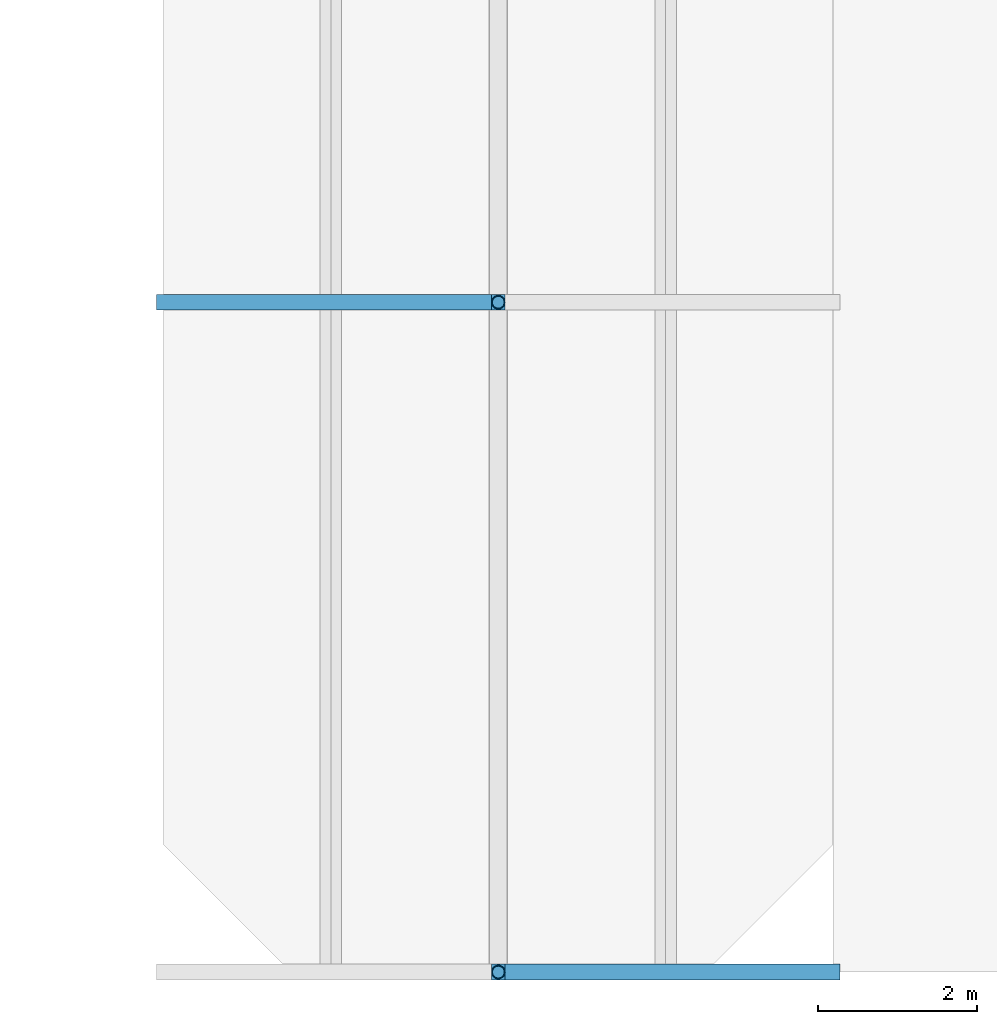
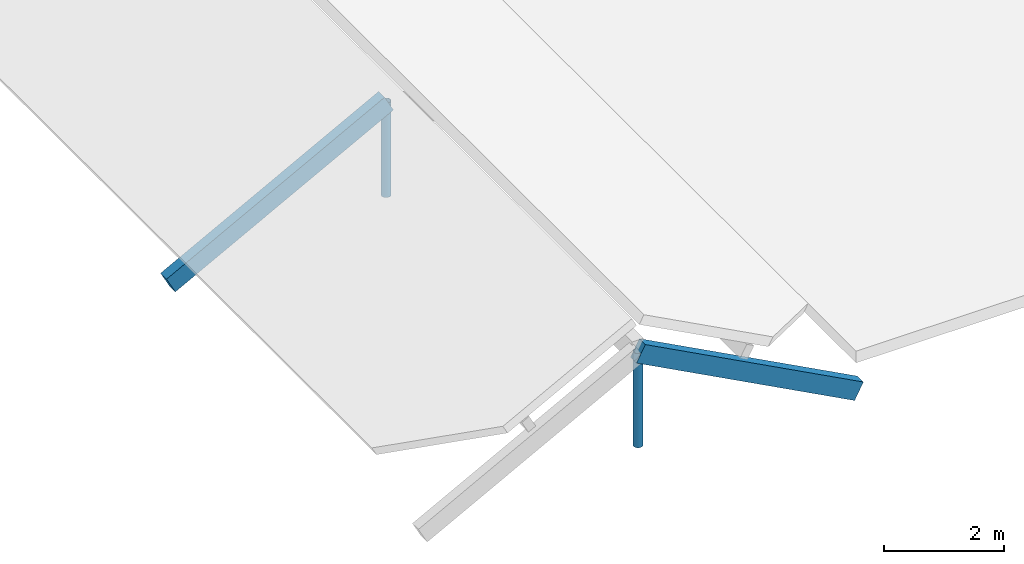
# One storey, part 15 of 82: 4 members.
"""IFC4 building model written with IfcOpenShell, lengths in metres."""

from ifc_helpers import new_model, si_unit, direction, frame, origin, origin_2d, place, context, subcontext, project, spatial, rectangle, hollow_circle, extrude, material, material_profile, profile_set, type_object, element, save


model = new_model("IFC4")

# Units and contexts
model_context = context("Model", 3, precision=1e-05, world=origin(), true_north=direction((0.0, 1.0)))
body_context = subcontext(model_context, "Body", "Model", "MODEL_VIEW")
ifc_project = project(units=[si_unit("LENGTHUNIT", "METRE"), si_unit("AREAUNIT", "SQUARE_METRE"), si_unit("VOLUMEUNIT", "CUBIC_METRE"), si_unit("PLANEANGLEUNIT", "RADIAN"), si_unit("MASSUNIT", "GRAM", prefix="KILO")], contexts=[model_context])

# Site, building, storey
site_placement = place(None, origin())
site = spatial("IfcSite", under=ifc_project, at=site_placement, CompositionType="ELEMENT")
building_placement = place(site_placement, origin())
building = spatial("IfcBuilding", under=site, at=building_placement, Name="Bramfleet General Hospital", CompositionType="ELEMENT")
storey_placement = place(building_placement, frame((0.0, 0.0, 34.199951171875)))
storey = spatial("IfcBuildingStorey", under=building, at=storey_placement, Name="Roof", CompositionType="ELEMENT", Elevation=34.199951171875)

# Members
ifc_material_1 = material(Name="Structural timber GL28h", Category="wood")
ifc_material_profile_1 = material_profile(ifc_material_1, rectangle(XDim=0.199951171875, YDim=0.360107421875, at=origin_2d()), Name="GL28h 360x200")
ifc_profile_set_1 = profile_set([ifc_material_profile_1], Name="Structural timber GL28h")
member_type_1 = type_object("IfcMemberType", Name="MEM-RF-GL360", PredefinedType="RAFTER", material=ifc_profile_set_1)
for number, where, z_axis, x_axis, name in (
    (1, (96.60009765625, 0.0, 1.476806640625), (0.882947536541, 0.0, -0.469471668705), (0.0, 1.0, 0.0), "Patient House PH-05 East Glulam Rafter 0"),
    (2, (92.39990234375, 8.39990234375, -0.75634765625), (0.882958848035, 0.0, 0.469450394267), (0.0, 1.0, 0.0), "Patient House PH-05 West Glulam Rafter 1"),
):
    element("IfcMember", number, at=place(storey_placement, frame(where, z_axis=z_axis, x_axis=x_axis)), inside=storey, type_object=member_type_1, Name=name, PredefinedType="RAFTER", context=body_context, shape_type="SweptSolid", body=[
        extrude(rectangle(XDim=0.199951171875, YDim=0.360107421875, at=origin_2d()), origin(), (0.0, 0.0, 1.0), 4.7568359375),
    ])
ifc_material_2 = material(Name="Steel S355", Category="steel")
ifc_material_profile_2 = material_profile(ifc_material_2, hollow_circle(Radius=0.084228515625, WallThickness=0.008056640625, at=origin_2d()), Name="CHS 168.3x8.0")
ifc_profile_set_2 = profile_set([ifc_material_profile_2], Name="Steel S355")
member_type_2 = type_object("IfcMemberType", Name="MEM-SF-DG1", PredefinedType="STRUT", material=ifc_profile_set_2)
for number, where, z_axis, x_axis, name in (
    (3, (96.60009765625, 0.0, -0.43994140625), (0.0, 0.0, 1.0), (1.0, 0.0, 0.0), "Patient House PH-05 Ridge Timber Post 0"),
    (4, (96.60009765625, 8.39990234375, -0.43994140625), (0.0, 0.0, 1.0), (1.0, 0.0, 0.0), "Patient House PH-05 Ridge Timber Post 1"),
):
    element("IfcMember", number, at=place(storey_placement, frame(where, z_axis=z_axis, x_axis=x_axis)), inside=storey, type_object=member_type_2, Name=name, PredefinedType="STRUT", context=body_context, shape_type="SweptSolid", body=[
        extrude(hollow_circle(Radius=0.084228515625, WallThickness=0.008056640625, at=origin_2d()), origin(), (0.0, 0.0, 1.0), 1.916748046875),
    ])

save(model, "model.ifc")
